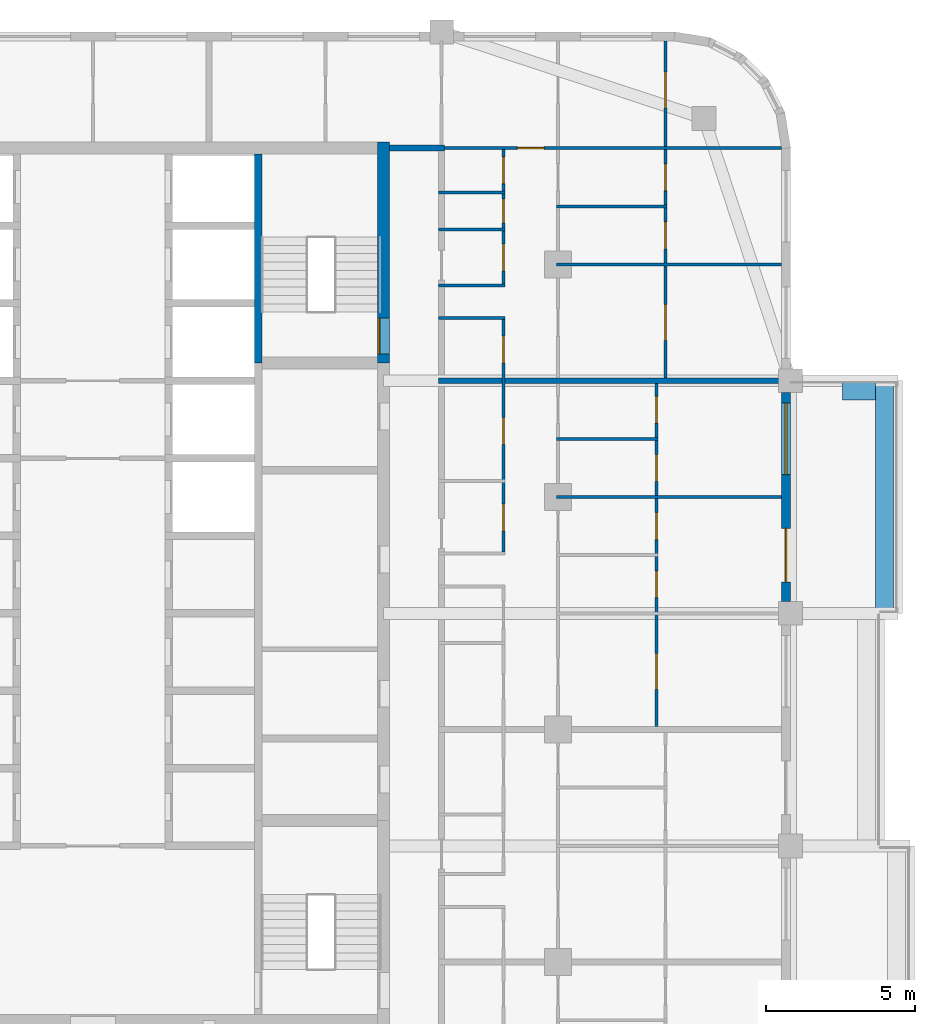
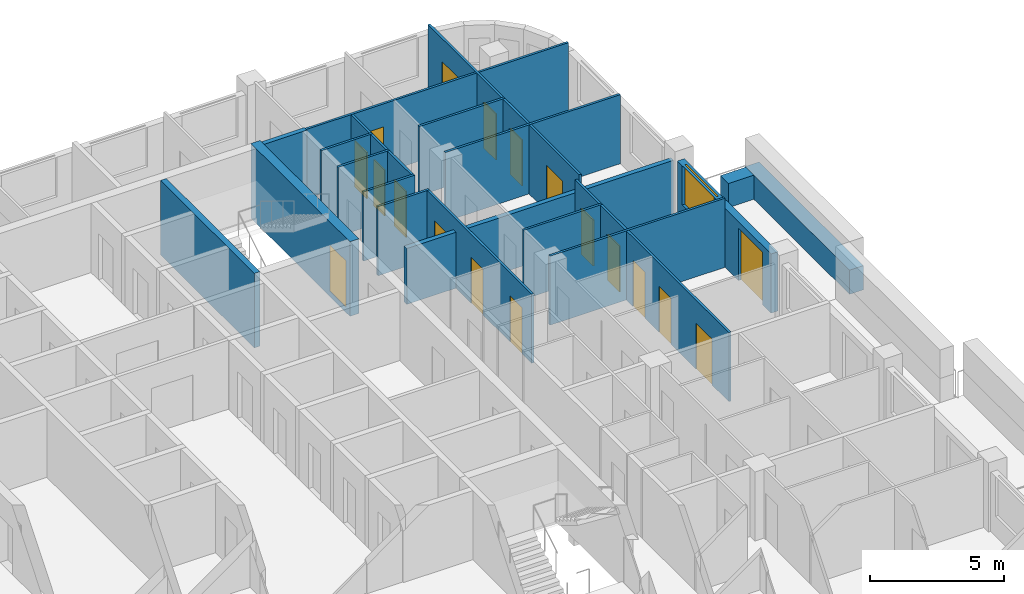
# One storey, part 11 of 16: 20 walls, 18 doors, 1 window, 19 openings.
"""IFC4 building model written with IfcOpenShell, lengths in metres."""

from ifc_helpers import new_model, si_unit, direction, frame, frame_2d, origin, place, context, subcontext, project, spatial, rectangle, extrude, material, layer, layer_set, type_object, element, fill, save


model = new_model("IFC4")

# Units and contexts
model_context = context("Model", 3, precision=1e-05, world=origin(), true_north=direction((0.0, 1.0)))
body_context = subcontext(model_context, "Body", "Model", "MODEL_VIEW")
ifc_project = project(units=[si_unit("LENGTHUNIT", "METRE"), si_unit("AREAUNIT", "SQUARE_METRE"), si_unit("VOLUMEUNIT", "CUBIC_METRE"), si_unit("PLANEANGLEUNIT", "RADIAN"), si_unit("MASSUNIT", "GRAM", prefix="KILO")], contexts=[model_context])

# Site, building, storey
site_placement = place(None, origin())
site = spatial("IfcSite", under=ifc_project, at=site_placement, CompositionType="ELEMENT")
building_placement = place(site_placement, origin())
building = spatial("IfcBuilding", under=site, at=building_placement, Name="Ludao Terraces", CompositionType="ELEMENT")
storey_placement = place(building_placement, frame((0.0, 0.0, 214.300048828125)))
storey = spatial("IfcBuildingStorey", under=building, at=storey_placement, Name="L58", CompositionType="ELEMENT", Elevation=214.300048828125)

# Wall, opening, door
ifc_material_1 = material(Name="Concrete C50", Category="concrete")
ifc_layer_1 = layer(ifc_material_1, 0.39990234375)
ifc_layer_set_1 = layer_set([ifc_layer_1], Name="Core wall 400 C50")
wall_type_1 = type_object("IfcWallType", Name="Core wall 400 C50", PredefinedType="SOLIDWALL", material=ifc_layer_set_1)
wall_1_placement = place(storey_placement, frame((94.75, 77.300048828125, -0.25), z_axis=(0.0, 0.0, 1.0), x_axis=(0.0, 1.0, 0.0)))
wall_1 = element("IfcWall", 1, at=wall_1_placement, inside=storey, type_object=wall_type_1, Name="Core wall L58 outer-E-S2", PredefinedType="SOLIDWALL", context=body_context, shape_type="SweptSolid", body=[
    extrude(rectangle(XDim=7.39990234375, YDim=0.39990234375, at=frame_2d((3.699951171875, 0.0))), origin(), (0.0, 0.0, 1.0), 3.39990234375),
])
opening_1_placement = place(wall_1_placement, frame((0.300048828125, 0.0, 0.25)))
opening_1 = element("IfcOpeningElement", 2, at=opening_1_placement, cuts=wall_1, Name="Opening R21-111", PredefinedType="OPENING", context=body_context, shape_type="SweptSolid", body=[
    extrude(rectangle(XDim=1.199951171875, YDim=2.10009765625, at=frame_2d((0.60009765625, 1.050048828125))), frame((0.0, 0.2099609375, 0.0), z_axis=(0.0, -1.0, 0.0), x_axis=(1.0, 0.0, 0.0)), (0.0, 0.0, 1.0), 0.419921875),
])
ifc_material_2 = material(Name="Steel Q235", Category="steel")
door_type_1 = type_object("IfcDoorType", Name="INT Stair door 1200", OperationType="DOUBLE_DOOR_SINGLE_SWING", PredefinedType="DOOR", material=ifc_material_2)
door_1_placement = place(opening_1_placement, origin())
door_1 = element("IfcDoor", 3, at=door_1_placement, inside=storey, type_object=door_type_1, Name="DOOR 111", OperationType="DOUBLE_DOOR_SINGLE_SWING", OverallHeight=2.10009765625, OverallWidth=1.199951171875, PredefinedType="DOOR", context=body_context, shape_type="SweptSolid", body=[
    extrude(rectangle(XDim=1.199951171875, YDim=2.10009765625, at=frame_2d((0.60009765625, 1.050048828125))), frame((0.0, 0.18505859375, 0.0), z_axis=(0.0, -1.0, 0.0), x_axis=(1.0, 0.0, 0.0)), (0.0, 0.0, 1.0), 0.050048828125),
])
fill(opening_1, door_1)

# Walls
ifc_material_3 = material(Name="Concrete C40", Category="concrete")
ifc_layer_2 = layer(ifc_material_3, 0.60009765625)
ifc_layer_set_2 = layer_set([ifc_layer_2], Name="ENV Planter trough 600")
wall_type_2 = type_object("IfcWallType", Name="ENV Planter trough 600", PredefinedType="USERDEFINED", material=ifc_layer_set_2)
wall_2_placement = place(storey_placement, frame((111.550048828125, 68.89990234375, 0.0), z_axis=(0.0, 0.0, 1.0), x_axis=(0.0, 1.0, 0.0)))
element("IfcWall", 4, at=wall_2_placement, inside=storey, type_object=wall_type_2, Name="PL-L58-E3", ObjectType="PLANTER", PredefinedType="USERDEFINED", context=body_context, shape_type="SweptSolid", body=[
    extrude(rectangle(XDim=7.800048828125, YDim=0.60009765625, at=frame_2d((3.89990234375, 0.0))), origin(), (0.0, 0.0, 1.0), 1.099853515625),
])
wall_3_placement = place(storey_placement, frame((111.25, 76.35009765625, 0.0), z_axis=(0.0, 0.0, 1.0), x_axis=(-1.0, 0.0, 0.0)))
element("IfcWall", 5, at=wall_3_placement, inside=storey, type_object=wall_type_2, Name="PL-L58-E3-SB", ObjectType="PLANTER", PredefinedType="USERDEFINED", context=body_context, shape_type="SweptSolid", body=[
    extrude(rectangle(XDim=1.10009765625, YDim=0.60009765625, at=frame_2d((0.550048828125, 0.0))), origin(), (0.0, 0.0, 1.0), 1.099853515625),
])

# Wall, openings, door, window
ifc_material_4 = material(Name="Granite cladding", Category="masonry")
ifc_layer_3 = layer(ifc_material_4, 0.0400390625, Category="stone")
ifc_material_5 = material(Name="Mineral wool")
ifc_layer_4 = layer(ifc_material_5, 0.06005859375)
ifc_layer_5 = layer(ifc_material_3, 0.199951171875, Category="concrete")
ifc_layer_set_3 = layer_set([ifc_layer_3, ifc_layer_4, ifc_layer_5], Name="ENV Stone-clad wall 300")
wall_type_3 = type_object("IfcWallType", Name="ENV Stone-clad wall 300", PredefinedType="SOLIDWALL", material=ifc_layer_set_3)
wall_4_placement = place(storey_placement, frame((108.25, 69.300048828125, 0.0), z_axis=(0.0, 0.0, 1.0), x_axis=(0.0, 1.0, 0.0)))
wall_4 = element("IfcWall", 6, at=wall_4_placement, inside=storey, type_object=wall_type_3, Name="EW-L58-E4", PredefinedType="SOLIDWALL", context=body_context, shape_type="SweptSolid", body=[
    extrude(rectangle(XDim=7.0, YDim=0.300048828125, at=frame_2d((3.5, 0.0))), origin(), (0.0, 0.0, 1.0), 2.699951171875),
])
opening_2_placement = place(wall_4_placement, frame((0.64990234375, 0.0, 0.0)))
opening_2 = element("IfcOpeningElement", 7, at=opening_2_placement, cuts=wall_4, Name="Opening BD", PredefinedType="OPENING", context=body_context, shape_type="SweptSolid", body=[
    extrude(rectangle(XDim=1.800048828125, YDim=2.39990234375, at=frame_2d((0.89990234375, 1.199951171875))), frame((0.0, 0.16015625, 0.0), z_axis=(0.0, -1.0, 0.0), x_axis=(1.0, 0.0, 0.0)), (0.0, 0.0, 1.0), 0.320068359375),
])
opening_3_placement = place(wall_4_placement, frame((4.25, 0.0, 0.89990234375)))
opening_3 = element("IfcOpeningElement", 8, at=opening_3_placement, cuts=wall_4, Name="Opening W1", PredefinedType="OPENING", context=body_context, shape_type="SweptSolid", body=[
    extrude(rectangle(XDim=2.39990234375, YDim=1.800048828125, at=frame_2d((1.199951171875, 0.89990234375))), frame((0.0, 0.16015625, 0.0), z_axis=(0.0, -1.0, 0.0), x_axis=(1.0, 0.0, 0.0)), (0.0, 0.0, 1.0), 0.320068359375),
])
ifc_material_6 = material(Name="Aluminium glazed door", Category="aluminium")
ifc_layer_6 = layer(ifc_material_6, 0.06005859375)
ifc_layer_set_4 = layer_set([ifc_layer_6], Name="ENV Balcony door BD 1800x2400")
door_type_2 = type_object("IfcDoorType", Name="ENV Balcony door BD 1800x2400", OperationType="DOUBLE_DOOR_SINGLE_SWING", PredefinedType="DOOR", material=ifc_layer_set_4)
door_2_placement = place(opening_2_placement, origin())
door_2 = element("IfcDoor", 9, at=door_2_placement, inside=storey, type_object=door_type_2, Name="BD-L58-E4-1", OperationType="DOUBLE_DOOR_SINGLE_SWING", OverallHeight=2.39990234375, OverallWidth=1.800048828125, PredefinedType="DOOR", context=body_context, shape_type="SweptSolid", body=[
    extrude(rectangle(XDim=1.800048828125, YDim=2.39990234375, at=frame_2d((0.89990234375, 1.199951171875))), frame((0.0, 0.02490234375, 0.0), z_axis=(0.0, -1.0, 0.0), x_axis=(1.0, 0.0, 0.0)), (0.0, 0.0, 1.0), 0.050048828125),
])
fill(opening_2, door_2)
ifc_material_7 = material(Name="Clear glass in aluminium frame", Category="aluminium")
ifc_layer_7 = layer(ifc_material_7, 0.06005859375)
ifc_layer_set_5 = layer_set([ifc_layer_7], Name="ENV Window W1 2400x1800")
window_type = type_object("IfcWindowType", Name="ENV Window W1 2400x1800", PartitioningType="DOUBLE_PANEL_VERTICAL", PredefinedType="WINDOW", material=ifc_layer_set_5)
window_placement = place(opening_3_placement, origin())
window = element("IfcWindow", 10, at=window_placement, inside=storey, type_object=window_type, Name="W-L58-E4-2", OverallHeight=1.800048828125, OverallWidth=2.39990234375, PartitioningType="DOUBLE_PANEL_VERTICAL", PredefinedType="WINDOW", context=body_context, shape_type="SweptSolid", body=[
    extrude(rectangle(XDim=2.39990234375, YDim=1.800048828125, at=frame_2d((1.199951171875, 0.89990234375))), frame((0.0, 0.030029296875, 0.0), z_axis=(0.0, -1.0, 0.0), x_axis=(1.0, 0.0, 0.0)), (0.0, 0.0, 1.0), 0.06005859375),
])
fill(opening_3, window)

# Walls
ifc_material_8 = material(Name="Autoclaved aerated concrete block B06 A3.5", Category="concrete")
ifc_layer_8 = layer(ifc_material_8, 0.199951171875)
ifc_layer_set_6 = layer_set([ifc_layer_8], Name="INT Entrance wall 200")
wall_type_4 = type_object("IfcWallType", Name="INT Entrance wall 200", PredefinedType="PARTITIONING", material=ifc_layer_set_6)
wall_5_placement = place(storey_placement, frame((94.9501953125, 84.5, 0.0), z_axis=(0.0, 0.0, 1.0), x_axis=(1.0, 0.0, 0.0)))
element("IfcWall", 11, at=wall_5_placement, inside=storey, type_object=wall_type_4, Name="PW-L58-PW068", PredefinedType="PARTITIONING", context=body_context, shape_type="SweptSolid", body=[
    extrude(rectangle(XDim=1.849853515625, YDim=0.199951171875, at=frame_2d((0.9248046875, 0.0))), origin(), (0.0, 0.0, 1.0), 3.14990234375),
])
ifc_material_9 = material(Name="Gypsum plasterboard", Category="gypsum")
ifc_layer_9 = layer(ifc_material_9, 0.012451171875, Category="gypsum")
ifc_layer_10 = layer(ifc_material_5, 0.06005859375, Name="insulation")
ifc_layer_11 = layer(ifc_material_2, 0.014892578125, Name="stud")
ifc_layer_12 = layer(ifc_material_9, 0.012451171875, Category="gypsum")
ifc_layer_set_7 = layer_set([ifc_layer_9, ifc_layer_10, ifc_layer_11, ifc_layer_12], Name="INT Partition 100")
wall_type_5 = type_object("IfcWallType", Name="INT Partition 100", PredefinedType="PARTITIONING", material=ifc_layer_set_7)
wall_6_placement = place(storey_placement, frame((100.550048828125, 72.800048828125, 0.0), z_axis=(0.0, 0.0, 1.0), x_axis=(1.0, 0.0, 0.0)))
element("IfcWall", 12, at=wall_6_placement, inside=storey, type_object=wall_type_5, Name="PW-L58-PW046", PredefinedType="PARTITIONING", context=body_context, shape_type="SweptSolid", body=[
    extrude(rectangle(XDim=7.550048828125, YDim=0.10009765625, at=frame_2d((3.77490234375, 0.0))), origin(), (0.0, 0.0, 1.0), 3.14990234375),
])
wall_7_placement = place(storey_placement, frame((100.550048828125, 74.75, 0.0), z_axis=(0.0, 0.0, 1.0), x_axis=(1.0, 0.0, 0.0)))
element("IfcWall", 13, at=wall_7_placement, inside=storey, type_object=wall_type_5, Name="PW-L58-PW050", PredefinedType="PARTITIONING", context=body_context, shape_type="SweptSolid", body=[
    extrude(rectangle(XDim=3.400146484375, YDim=0.10009765625, at=frame_2d((1.7001953125, 0.0))), origin(), (0.0, 0.0, 1.0), 3.14990234375),
])
for number, where, z_axis, x_axis, name in (
    (14, (96.60009765625, 78.800048828125, 0.0), (0.0, 0.0, 1.0), (1.0, 0.0, 0.0), "PW-L58-PW057"),
    (15, (96.60009765625, 79.89990234375, 0.0), (0.0, 0.0, 1.0), (1.0, 0.0, 0.0), "PW-L58-PW058"),
):
    element("IfcWall", number, at=place(storey_placement, frame(where, z_axis=z_axis, x_axis=x_axis)), inside=storey, type_object=wall_type_5, Name=name, PredefinedType="PARTITIONING", context=body_context, shape_type="SweptSolid", body=[
        extrude(rectangle(XDim=2.219970703125, YDim=0.10009765625, at=frame_2d((1.10986328125, 0.0))), origin(), (0.0, 0.0, 1.0), 3.14990234375),
    ])
wall_8_placement = place(storey_placement, frame((100.550048828125, 80.60009765625, 0.0), z_axis=(0.0, 0.0, 1.0), x_axis=(1.0, 0.0, 0.0)))
element("IfcWall", 16, at=wall_8_placement, inside=storey, type_object=wall_type_5, Name="PW-L58-PW060", PredefinedType="PARTITIONING", context=body_context, shape_type="SweptSolid", body=[
    extrude(rectangle(XDim=7.550048828125, YDim=0.10009765625, at=frame_2d((3.77490234375, 0.0))), origin(), (0.0, 0.0, 1.0), 3.14990234375),
])
wall_9_placement = place(storey_placement, frame((96.60009765625, 81.77001953125, 0.0), z_axis=(0.0, 0.0, 1.0), x_axis=(1.0, 0.0, 0.0)))
element("IfcWall", 17, at=wall_9_placement, inside=storey, type_object=wall_type_5, Name="PW-L58-PW061", PredefinedType="PARTITIONING", context=body_context, shape_type="SweptSolid", body=[
    extrude(rectangle(XDim=2.219970703125, YDim=0.10009765625, at=frame_2d((1.10986328125, 0.0))), origin(), (0.0, 0.0, 1.0), 3.14990234375),
])
wall_10_placement = place(storey_placement, frame((100.550048828125, 82.550048828125, 0.0), z_axis=(0.0, 0.0, 1.0), x_axis=(1.0, 0.0, 0.0)))
element("IfcWall", 18, at=wall_10_placement, inside=storey, type_object=wall_type_5, Name="PW-L58-PW064", PredefinedType="PARTITIONING", context=body_context, shape_type="SweptSolid", body=[
    extrude(rectangle(XDim=3.699951171875, YDim=0.10009765625, at=frame_2d((1.85009765625, 0.0))), origin(), (0.0, 0.0, 1.0), 3.14990234375),
])
wall_11_placement = place(storey_placement, frame((96.60009765625, 83.02001953125, 0.0), z_axis=(0.0, 0.0, 1.0), x_axis=(1.0, 0.0, 0.0)))
element("IfcWall", 19, at=wall_11_placement, inside=storey, type_object=wall_type_5, Name="PW-L58-PW065", PredefinedType="PARTITIONING", context=body_context, shape_type="SweptSolid", body=[
    extrude(rectangle(XDim=2.219970703125, YDim=0.10009765625, at=frame_2d((1.10986328125, 0.0))), origin(), (0.0, 0.0, 1.0), 3.14990234375),
])

# Wall, opening, door
wall_12_placement = place(storey_placement, frame((96.60009765625, 84.5, 0.0), z_axis=(0.0, 0.0, 1.0), x_axis=(1.0, 0.0, 0.0)))
wall_12 = element("IfcWall", 20, at=wall_12_placement, inside=storey, type_object=wall_type_5, Name="PW-L58-PW069", PredefinedType="PARTITIONING", context=body_context, shape_type="SweptSolid", body=[
    extrude(rectangle(XDim=11.5, YDim=0.10009765625, at=frame_2d((5.75, 0.0))), origin(), (0.0, 0.0, 1.0), 3.14990234375),
])
opening_4_placement = place(wall_12_placement, frame((2.635009765625, 0.0, 0.0)))
opening_4 = element("IfcOpeningElement", 21, at=opening_4_placement, cuts=wall_12, Name="Opening R21-134", PredefinedType="OPENING", context=body_context, shape_type="SweptSolid", body=[
    extrude(rectangle(XDim=0.89990234375, YDim=2.10009765625, at=frame_2d((0.449951171875, 1.050048828125))), frame((0.0, 0.06005859375, 0.0), z_axis=(0.0, -1.0, 0.0), x_axis=(1.0, 0.0, 0.0)), (0.0, 0.0, 1.0), 0.1201171875),
])
ifc_material_10 = material(Name="Timber door leaf", Category="wood")
door_type_3 = type_object("IfcDoorType", Name="INT Room door 900", OperationType="SINGLE_SWING_LEFT", PredefinedType="DOOR", material=ifc_material_10)
door_3_placement = place(opening_4_placement, origin())
door_3 = element("IfcDoor", 22, at=door_3_placement, inside=storey, type_object=door_type_3, Name="DOOR 134", OperationType="SINGLE_SWING_RIGHT", OverallHeight=2.10009765625, OverallWidth=0.89990234375, PredefinedType="DOOR", context=body_context, shape_type="SweptSolid", body=[
    extrude(rectangle(XDim=0.89990234375, YDim=2.10009765625, at=frame_2d((0.449951171875, 1.050048828125))), frame((0.0, 0.02490234375, 0.0), z_axis=(0.0, -1.0, 0.0), x_axis=(1.0, 0.0, 0.0)), (0.0, 0.0, 1.0), 0.050048828125),
])
fill(opening_4, door_3)

# Wall, openings, doors
wall_13_placement = place(storey_placement, frame((98.77001953125, 70.9501953125, 0.0), z_axis=(0.0, 0.0, 1.0), x_axis=(0.0, 1.0, 0.0)))
wall_13 = element("IfcWall", 23, at=wall_13_placement, inside=storey, type_object=wall_type_5, Name="PW-L58-PW095", PredefinedType="PARTITIONING", context=body_context, shape_type="SweptSolid", body=[
    extrude(rectangle(XDim=7.7998046875, YDim=0.10009765625, at=frame_2d((3.89990234375, 0.0))), origin(), (0.0, 0.0, 1.0), 3.14990234375),
])
opening_5_placement = place(wall_13_placement, frame((0.71484375, 0.0, 0.0)))
opening_5 = element("IfcOpeningElement", 24, at=opening_5_placement, cuts=wall_13, Name="Opening R21-089", PredefinedType="OPENING", context=body_context, shape_type="SweptSolid", body=[
    extrude(rectangle(XDim=0.89990234375, YDim=2.10009765625, at=frame_2d((0.449951171875, 1.050048828125))), frame((0.0, 0.06005859375, 0.0), z_axis=(0.0, -1.0, 0.0), x_axis=(1.0, 0.0, 0.0)), (0.0, 0.0, 1.0), 0.1201171875),
])
opening_6_placement = place(wall_13_placement, frame((3.614990234375, 0.0, 0.0)))
opening_6 = element("IfcOpeningElement", 25, at=opening_6_placement, cuts=wall_13, Name="Opening R21-096", PredefinedType="OPENING", context=body_context, shape_type="SweptSolid", body=[
    extrude(rectangle(XDim=0.89990234375, YDim=2.10009765625, at=frame_2d((0.449951171875, 1.050048828125))), frame((0.0, 0.06005859375, 0.0), z_axis=(0.0, -1.0, 0.0), x_axis=(1.0, 0.0, 0.0)), (0.0, 0.0, 1.0), 0.1201171875),
])
opening_7_placement = place(wall_13_placement, frame((6.349853515625, 0.0, 0.0)))
opening_7 = element("IfcOpeningElement", 26, at=opening_7_placement, cuts=wall_13, Name="Opening R21-107", PredefinedType="OPENING", context=body_context, shape_type="SweptSolid", body=[
    extrude(rectangle(XDim=0.89990234375, YDim=2.10009765625, at=frame_2d((0.449951171875, 1.050048828125))), frame((0.0, 0.06005859375, 0.0), z_axis=(0.0, -1.0, 0.0), x_axis=(1.0, 0.0, 0.0)), (0.0, 0.0, 1.0), 0.1201171875),
])
door_type_4 = type_object("IfcDoorType", Name="INT Bathroom door 900", OperationType="SINGLE_SWING_LEFT", PredefinedType="DOOR", material=ifc_material_10)
door_4_placement = place(opening_5_placement, origin())
door_4 = element("IfcDoor", 27, at=door_4_placement, inside=storey, type_object=door_type_4, Name="DOOR 089", OperationType="SINGLE_SWING_LEFT", OverallHeight=2.10009765625, OverallWidth=0.89990234375, PredefinedType="DOOR", context=body_context, shape_type="SweptSolid", body=[
    extrude(rectangle(XDim=0.89990234375, YDim=2.10009765625, at=frame_2d((0.449951171875, 1.050048828125))), frame((0.0, 0.02490234375, 0.0), z_axis=(0.0, -1.0, 0.0), x_axis=(1.0, 0.0, 0.0)), (0.0, 0.0, 1.0), 0.050048828125),
])
fill(opening_5, door_4)
door_5_placement = place(opening_7_placement, origin())
door_5 = element("IfcDoor", 28, at=door_5_placement, inside=storey, type_object=door_type_4, Name="DOOR 107", OperationType="SINGLE_SWING_LEFT", OverallHeight=2.10009765625, OverallWidth=0.89990234375, PredefinedType="DOOR", context=body_context, shape_type="SweptSolid", body=[
    extrude(rectangle(XDim=0.89990234375, YDim=2.10009765625, at=frame_2d((0.449951171875, 1.050048828125))), frame((0.0, 0.02490234375, 0.0), z_axis=(0.0, -1.0, 0.0), x_axis=(1.0, 0.0, 0.0)), (0.0, 0.0, 1.0), 0.050048828125),
])
fill(opening_7, door_5)
door_6_placement = place(opening_6_placement, origin())
door_6 = element("IfcDoor", 29, at=door_6_placement, inside=storey, type_object=door_type_3, Name="DOOR 096", OperationType="SINGLE_SWING_RIGHT", OverallHeight=2.10009765625, OverallWidth=0.89990234375, PredefinedType="DOOR", context=body_context, shape_type="SweptSolid", body=[
    extrude(rectangle(XDim=0.89990234375, YDim=2.10009765625, at=frame_2d((0.449951171875, 1.050048828125))), frame((0.0, 0.02490234375, 0.0), z_axis=(0.0, -1.0, 0.0), x_axis=(1.0, 0.0, 0.0)), (0.0, 0.0, 1.0), 0.050048828125),
])
fill(opening_6, door_6)

wall_14_placement = place(storey_placement, frame((98.77001953125, 79.9501953125, 0.0), z_axis=(0.0, 0.0, 1.0), x_axis=(0.0, 1.0, 0.0)))
wall_14 = element("IfcWall", 30, at=wall_14_placement, inside=storey, type_object=wall_type_5, Name="PW-L58-PW096", PredefinedType="PARTITIONING", context=body_context, shape_type="SweptSolid", body=[
    extrude(rectangle(XDim=4.5, YDim=0.10009765625, at=frame_2d((2.25, 0.0))), origin(), (0.0, 0.0, 1.0), 3.14990234375),
])
opening_8_placement = place(wall_14_placement, frame((0.434814453125, 0.0, 0.0)))
opening_8 = element("IfcOpeningElement", 31, at=opening_8_placement, cuts=wall_14, Name="Opening R21-121", PredefinedType="OPENING", context=body_context, shape_type="SweptSolid", body=[
    extrude(rectangle(XDim=0.89990234375, YDim=2.10009765625, at=frame_2d((0.449951171875, 1.050048828125))), frame((0.0, 0.06005859375, 0.0), z_axis=(0.0, -1.0, 0.0), x_axis=(1.0, 0.0, 0.0)), (0.0, 0.0, 1.0), 0.1201171875),
])
opening_9_placement = place(wall_14_placement, frame((2.044921875, 0.0, 0.0)))
opening_9 = element("IfcOpeningElement", 32, at=opening_9_placement, cuts=wall_14, Name="Opening R21-124", PredefinedType="OPENING", context=body_context, shape_type="SweptSolid", body=[
    extrude(rectangle(XDim=0.800048828125, YDim=2.10009765625, at=frame_2d((0.39990234375, 1.050048828125))), frame((0.0, 0.06005859375, 0.0), z_axis=(0.0, -1.0, 0.0), x_axis=(1.0, 0.0, 0.0)), (0.0, 0.0, 1.0), 0.1201171875),
])
opening_10_placement = place(wall_14_placement, frame((3.35986328125, 0.0, 0.0)))
opening_10 = element("IfcOpeningElement", 33, at=opening_10_placement, cuts=wall_14, Name="Opening R21-132", PredefinedType="OPENING", context=body_context, shape_type="SweptSolid", body=[
    extrude(rectangle(XDim=0.89990234375, YDim=2.10009765625, at=frame_2d((0.449951171875, 1.050048828125))), frame((0.0, 0.06005859375, 0.0), z_axis=(0.0, -1.0, 0.0), x_axis=(1.0, 0.0, 0.0)), (0.0, 0.0, 1.0), 0.1201171875),
])
door_7_placement = place(opening_10_placement, origin())
door_7 = element("IfcDoor", 34, at=door_7_placement, inside=storey, type_object=door_type_4, Name="DOOR 132", OperationType="SINGLE_SWING_LEFT", OverallHeight=2.10009765625, OverallWidth=0.89990234375, PredefinedType="DOOR", context=body_context, shape_type="SweptSolid", body=[
    extrude(rectangle(XDim=0.89990234375, YDim=2.10009765625, at=frame_2d((0.449951171875, 1.050048828125))), frame((0.0, 0.02490234375, 0.0), z_axis=(0.0, -1.0, 0.0), x_axis=(1.0, 0.0, 0.0)), (0.0, 0.0, 1.0), 0.050048828125),
])
fill(opening_10, door_7)
door_8_placement = place(opening_8_placement, origin())
door_8 = element("IfcDoor", 35, at=door_8_placement, inside=storey, type_object=door_type_3, Name="DOOR 121", OperationType="SINGLE_SWING_LEFT", OverallHeight=2.10009765625, OverallWidth=0.89990234375, PredefinedType="DOOR", context=body_context, shape_type="SweptSolid", body=[
    extrude(rectangle(XDim=0.89990234375, YDim=2.10009765625, at=frame_2d((0.449951171875, 1.050048828125))), frame((0.0, 0.02490234375, 0.0), z_axis=(0.0, -1.0, 0.0), x_axis=(1.0, 0.0, 0.0)), (0.0, 0.0, 1.0), 0.050048828125),
])
fill(opening_8, door_8)
door_type_5 = type_object("IfcDoorType", Name="INT Store door 800", OperationType="SINGLE_SWING_LEFT", PredefinedType="DOOR", material=ifc_material_10)
door_9_placement = place(opening_9_placement, origin())
door_9 = element("IfcDoor", 36, at=door_9_placement, inside=storey, type_object=door_type_5, Name="DOOR 124", OperationType="SINGLE_SWING_LEFT", OverallHeight=2.10009765625, OverallWidth=0.800048828125, PredefinedType="DOOR", context=body_context, shape_type="SweptSolid", body=[
    extrude(rectangle(XDim=0.800048828125, YDim=2.10009765625, at=frame_2d((0.39990234375, 1.050048828125))), frame((0.0, 0.02490234375, 0.0), z_axis=(0.0, -1.0, 0.0), x_axis=(1.0, 0.0, 0.0)), (0.0, 0.0, 1.0), 0.050048828125),
])
fill(opening_9, door_9)

wall_15_placement = place(storey_placement, frame((103.89990234375, 65.10009765625, 0.0), z_axis=(0.0, 0.0, 1.0), x_axis=(0.0, 1.0, 0.0)))
wall_15 = element("IfcWall", 37, at=wall_15_placement, inside=storey, type_object=wall_type_5, Name="PW-L58-PW098", PredefinedType="PARTITIONING", context=body_context, shape_type="SweptSolid", body=[
    extrude(rectangle(XDim=11.5, YDim=0.10009765625, at=frame_2d((5.75, 0.0))), origin(), (0.0, 0.0, 1.0), 3.14990234375),
])
opening_11_placement = place(wall_15_placement, frame((1.25, 0.0, 0.0)))
opening_11 = element("IfcOpeningElement", 38, at=opening_11_placement, cuts=wall_15, Name="Opening R21-071", PredefinedType="OPENING", context=body_context, shape_type="SweptSolid", body=[
    extrude(rectangle(XDim=1.199951171875, YDim=2.10009765625, at=frame_2d((0.60009765625, 1.050048828125))), frame((0.0, 0.06005859375, 0.0), z_axis=(0.0, -1.0, 0.0), x_axis=(1.0, 0.0, 0.0)), (0.0, 0.0, 1.0), 0.1201171875),
])
opening_12_placement = place(wall_15_placement, frame((4.324951171875, 0.0, 0.0)))
opening_12 = element("IfcOpeningElement", 39, at=opening_12_placement, cuts=wall_15, Name="Opening R21-079", PredefinedType="OPENING", context=body_context, shape_type="SweptSolid", body=[
    extrude(rectangle(XDim=0.89990234375, YDim=2.10009765625, at=frame_2d((0.449951171875, 1.050048828125))), frame((0.0, 0.06005859375, 0.0), z_axis=(0.0, -1.0, 0.0), x_axis=(1.0, 0.0, 0.0)), (0.0, 0.0, 1.0), 0.1201171875),
])
opening_13_placement = place(wall_15_placement, frame((6.27490234375, 0.0, 0.0)))
opening_13 = element("IfcOpeningElement", 40, at=opening_13_placement, cuts=wall_15, Name="Opening R21-088", PredefinedType="OPENING", context=body_context, shape_type="SweptSolid", body=[
    extrude(rectangle(XDim=0.89990234375, YDim=2.10009765625, at=frame_2d((0.449951171875, 1.050048828125))), frame((0.0, 0.06005859375, 0.0), z_axis=(0.0, -1.0, 0.0), x_axis=(1.0, 0.0, 0.0)), (0.0, 0.0, 1.0), 0.1201171875),
])
opening_14_placement = place(wall_15_placement, frame((8.22509765625, 0.0, 0.0)))
opening_14 = element("IfcOpeningElement", 41, at=opening_14_placement, cuts=wall_15, Name="Opening R21-093", PredefinedType="OPENING", context=body_context, shape_type="SweptSolid", body=[
    extrude(rectangle(XDim=0.89990234375, YDim=2.10009765625, at=frame_2d((0.449951171875, 1.050048828125))), frame((0.0, 0.06005859375, 0.0), z_axis=(0.0, -1.0, 0.0), x_axis=(1.0, 0.0, 0.0)), (0.0, 0.0, 1.0), 0.1201171875),
])
opening_15_placement = place(wall_15_placement, frame((10.175048828125, 0.0, 0.0)))
opening_15 = element("IfcOpeningElement", 42, at=opening_15_placement, cuts=wall_15, Name="Opening R21-104", PredefinedType="OPENING", context=body_context, shape_type="SweptSolid", body=[
    extrude(rectangle(XDim=0.89990234375, YDim=2.10009765625, at=frame_2d((0.449951171875, 1.050048828125))), frame((0.0, 0.06005859375, 0.0), z_axis=(0.0, -1.0, 0.0), x_axis=(1.0, 0.0, 0.0)), (0.0, 0.0, 1.0), 0.1201171875),
])
door_10_placement = place(opening_12_placement, origin())
door_10 = element("IfcDoor", 43, at=door_10_placement, inside=storey, type_object=door_type_4, Name="DOOR 079", OperationType="SINGLE_SWING_LEFT", OverallHeight=2.10009765625, OverallWidth=0.89990234375, PredefinedType="DOOR", context=body_context, shape_type="SweptSolid", body=[
    extrude(rectangle(XDim=0.89990234375, YDim=2.10009765625, at=frame_2d((0.449951171875, 1.050048828125))), frame((0.0, 0.02490234375, 0.0), z_axis=(0.0, -1.0, 0.0), x_axis=(1.0, 0.0, 0.0)), (0.0, 0.0, 1.0), 0.050048828125),
])
fill(opening_12, door_10)
door_11_placement = place(opening_14_placement, origin())
door_11 = element("IfcDoor", 44, at=door_11_placement, inside=storey, type_object=door_type_4, Name="DOOR 093", OperationType="SINGLE_SWING_LEFT", OverallHeight=2.10009765625, OverallWidth=0.89990234375, PredefinedType="DOOR", context=body_context, shape_type="SweptSolid", body=[
    extrude(rectangle(XDim=0.89990234375, YDim=2.10009765625, at=frame_2d((0.449951171875, 1.050048828125))), frame((0.0, 0.02490234375, 0.0), z_axis=(0.0, -1.0, 0.0), x_axis=(1.0, 0.0, 0.0)), (0.0, 0.0, 1.0), 0.050048828125),
])
fill(opening_14, door_11)
door_type_6 = type_object("IfcDoorType", Name="INT Double door 1200", OperationType="DOUBLE_DOOR_SINGLE_SWING", PredefinedType="DOOR", material=ifc_material_10)
door_12_placement = place(opening_11_placement, origin())
door_12 = element("IfcDoor", 45, at=door_12_placement, inside=storey, type_object=door_type_6, Name="DOOR 071", OperationType="DOUBLE_DOOR_SINGLE_SWING", OverallHeight=2.10009765625, OverallWidth=1.199951171875, PredefinedType="DOOR", context=body_context, shape_type="SweptSolid", body=[
    extrude(rectangle(XDim=1.199951171875, YDim=2.10009765625, at=frame_2d((0.60009765625, 1.050048828125))), frame((0.0, 0.02490234375, 0.0), z_axis=(0.0, -1.0, 0.0), x_axis=(1.0, 0.0, 0.0)), (0.0, 0.0, 1.0), 0.050048828125),
])
fill(opening_11, door_12)
door_13_placement = place(opening_13_placement, origin())
door_13 = element("IfcDoor", 46, at=door_13_placement, inside=storey, type_object=door_type_3, Name="DOOR 088", OperationType="SINGLE_SWING_RIGHT", OverallHeight=2.10009765625, OverallWidth=0.89990234375, PredefinedType="DOOR", context=body_context, shape_type="SweptSolid", body=[
    extrude(rectangle(XDim=0.89990234375, YDim=2.10009765625, at=frame_2d((0.449951171875, 1.050048828125))), frame((0.0, 0.02490234375, 0.0), z_axis=(0.0, -1.0, 0.0), x_axis=(1.0, 0.0, 0.0)), (0.0, 0.0, 1.0), 0.050048828125),
])
fill(opening_13, door_13)
door_14_placement = place(opening_15_placement, origin())
door_14 = element("IfcDoor", 47, at=door_14_placement, inside=storey, type_object=door_type_3, Name="DOOR 104", OperationType="SINGLE_SWING_RIGHT", OverallHeight=2.10009765625, OverallWidth=0.89990234375, PredefinedType="DOOR", context=body_context, shape_type="SweptSolid", body=[
    extrude(rectangle(XDim=0.89990234375, YDim=2.10009765625, at=frame_2d((0.449951171875, 1.050048828125))), frame((0.0, 0.02490234375, 0.0), z_axis=(0.0, -1.0, 0.0), x_axis=(1.0, 0.0, 0.0)), (0.0, 0.0, 1.0), 0.050048828125),
])
fill(opening_15, door_14)

wall_16_placement = place(storey_placement, frame((104.199951171875, 76.800048828125, 0.0), z_axis=(0.0, 0.0, 1.0), x_axis=(0.0, 1.0, 0.0)))
wall_16 = element("IfcWall", 48, at=wall_16_placement, inside=storey, type_object=wall_type_5, Name="PW-L58-PW100", PredefinedType="PARTITIONING", context=body_context, shape_type="SweptSolid", body=[
    extrude(rectangle(XDim=11.300048828125, YDim=0.10009765625, at=frame_2d((5.64990234375, 0.0))), origin(), (0.0, 0.0, 1.0), 3.14990234375),
])
opening_16_placement = place(wall_16_placement, frame((1.25, 0.0, 0.0)))
opening_16 = element("IfcOpeningElement", 49, at=opening_16_placement, cuts=wall_16, Name="Opening R21-115", PredefinedType="OPENING", context=body_context, shape_type="SweptSolid", body=[
    extrude(rectangle(XDim=1.199951171875, YDim=2.10009765625, at=frame_2d((0.60009765625, 1.050048828125))), frame((0.0, 0.06005859375, 0.0), z_axis=(0.0, -1.0, 0.0), x_axis=(1.0, 0.0, 0.0)), (0.0, 0.0, 1.0), 0.1201171875),
])
opening_17_placement = place(wall_16_placement, frame((4.324951171875, 0.0, 0.0)))
opening_17 = element("IfcOpeningElement", 50, at=opening_17_placement, cuts=wall_16, Name="Opening R21-123", PredefinedType="OPENING", context=body_context, shape_type="SweptSolid", body=[
    extrude(rectangle(XDim=0.89990234375, YDim=2.10009765625, at=frame_2d((0.449951171875, 1.050048828125))), frame((0.0, 0.06005859375, 0.0), z_axis=(0.0, -1.0, 0.0), x_axis=(1.0, 0.0, 0.0)), (0.0, 0.0, 1.0), 0.1201171875),
])
opening_18_placement = place(wall_16_placement, frame((6.27490234375, 0.0, 0.0)))
opening_18 = element("IfcOpeningElement", 51, at=opening_18_placement, cuts=wall_16, Name="Opening R21-131", PredefinedType="OPENING", context=body_context, shape_type="SweptSolid", body=[
    extrude(rectangle(XDim=0.89990234375, YDim=2.10009765625, at=frame_2d((0.449951171875, 1.050048828125))), frame((0.0, 0.06005859375, 0.0), z_axis=(0.0, -1.0, 0.0), x_axis=(1.0, 0.0, 0.0)), (0.0, 0.0, 1.0), 0.1201171875),
])
opening_19_placement = place(wall_16_placement, frame((9.050048828125, 0.0, 0.0)))
opening_19 = element("IfcOpeningElement", 52, at=opening_19_placement, cuts=wall_16, Name="Opening R21-144", PredefinedType="OPENING", context=body_context, shape_type="SweptSolid", body=[
    extrude(rectangle(XDim=1.199951171875, YDim=2.10009765625, at=frame_2d((0.60009765625, 1.050048828125))), frame((0.0, 0.06005859375, 0.0), z_axis=(0.0, -1.0, 0.0), x_axis=(1.0, 0.0, 0.0)), (0.0, 0.0, 1.0), 0.1201171875),
])
door_15_placement = place(opening_17_placement, origin())
door_15 = element("IfcDoor", 53, at=door_15_placement, inside=storey, type_object=door_type_4, Name="DOOR 123", OperationType="SINGLE_SWING_LEFT", OverallHeight=2.10009765625, OverallWidth=0.89990234375, PredefinedType="DOOR", context=body_context, shape_type="SweptSolid", body=[
    extrude(rectangle(XDim=0.89990234375, YDim=2.10009765625, at=frame_2d((0.449951171875, 1.050048828125))), frame((0.0, 0.02490234375, 0.0), z_axis=(0.0, -1.0, 0.0), x_axis=(1.0, 0.0, 0.0)), (0.0, 0.0, 1.0), 0.050048828125),
])
fill(opening_17, door_15)
door_16_placement = place(opening_16_placement, origin())
door_16 = element("IfcDoor", 54, at=door_16_placement, inside=storey, type_object=door_type_6, Name="DOOR 115", OperationType="DOUBLE_DOOR_SINGLE_SWING", OverallHeight=2.10009765625, OverallWidth=1.199951171875, PredefinedType="DOOR", context=body_context, shape_type="SweptSolid", body=[
    extrude(rectangle(XDim=1.199951171875, YDim=2.10009765625, at=frame_2d((0.60009765625, 1.050048828125))), frame((0.0, 0.02490234375, 0.0), z_axis=(0.0, -1.0, 0.0), x_axis=(1.0, 0.0, 0.0)), (0.0, 0.0, 1.0), 0.050048828125),
])
fill(opening_16, door_16)
door_17_placement = place(opening_19_placement, origin())
door_17 = element("IfcDoor", 55, at=door_17_placement, inside=storey, type_object=door_type_6, Name="DOOR 144", OperationType="DOUBLE_DOOR_SINGLE_SWING", OverallHeight=2.10009765625, OverallWidth=1.199951171875, PredefinedType="DOOR", context=body_context, shape_type="SweptSolid", body=[
    extrude(rectangle(XDim=1.199951171875, YDim=2.10009765625, at=frame_2d((0.60009765625, 1.050048828125))), frame((0.0, 0.02490234375, 0.0), z_axis=(0.0, -1.0, 0.0), x_axis=(1.0, 0.0, 0.0)), (0.0, 0.0, 1.0), 0.050048828125),
])
fill(opening_19, door_17)
door_18_placement = place(opening_18_placement, origin())
door_18 = element("IfcDoor", 56, at=door_18_placement, inside=storey, type_object=door_type_3, Name="DOOR 131", OperationType="SINGLE_SWING_LEFT", OverallHeight=2.10009765625, OverallWidth=0.89990234375, PredefinedType="DOOR", context=body_context, shape_type="SweptSolid", body=[
    extrude(rectangle(XDim=0.89990234375, YDim=2.10009765625, at=frame_2d((0.449951171875, 1.050048828125))), frame((0.0, 0.02490234375, 0.0), z_axis=(0.0, -1.0, 0.0), x_axis=(1.0, 0.0, 0.0)), (0.0, 0.0, 1.0), 0.050048828125),
])
fill(opening_18, door_18)

# Walls
ifc_layer_13 = layer(ifc_material_8, 0.199951171875)
ifc_layer_set_8 = layer_set([ifc_layer_13], Name="INT Party wall 200")
wall_type_6 = type_object("IfcWallType", Name="INT Party wall 200", PredefinedType="PARTITIONING", material=ifc_layer_set_8)
wall_17_placement = place(storey_placement, frame((96.60009765625, 76.699951171875, 0.0), z_axis=(0.0, 0.0, 1.0), x_axis=(1.0, 0.0, 0.0)))
element("IfcWall", 57, at=wall_17_placement, inside=storey, type_object=wall_type_6, Name="PW-L58-PW054", PredefinedType="PARTITIONING", context=body_context, shape_type="SweptSolid", body=[
    extrude(rectangle(XDim=11.5, YDim=0.199951171875, at=frame_2d((5.75, 0.0))), origin(), (0.0, 0.0, 1.0), 2.5498046875),
])
ifc_layer_14 = layer(ifc_material_1, 0.25)
ifc_layer_set_9 = layer_set([ifc_layer_14], Name="Shaft wall 250 C50")
wall_type_7 = type_object("IfcWallType", Name="Shaft wall 250 C50", PredefinedType="SOLIDWALL", material=ifc_layer_set_9)
wall_18_placement = place(storey_placement, frame((90.550048828125, 77.300048828125, -0.25), z_axis=(0.0, 0.0, 1.0), x_axis=(0.0, 1.0, 0.0)))
element("IfcWall", 58, at=wall_18_placement, inside=storey, type_object=wall_type_7, Name="Core wall L58 back-E-S2", PredefinedType="SOLIDWALL", context=body_context, shape_type="SweptSolid", body=[
    extrude(rectangle(XDim=7.0, YDim=0.25, at=frame_2d((3.5, 0.0))), origin(), (0.0, 0.0, 1.0), 3.39990234375),
])

save(model, "model.ifc")
